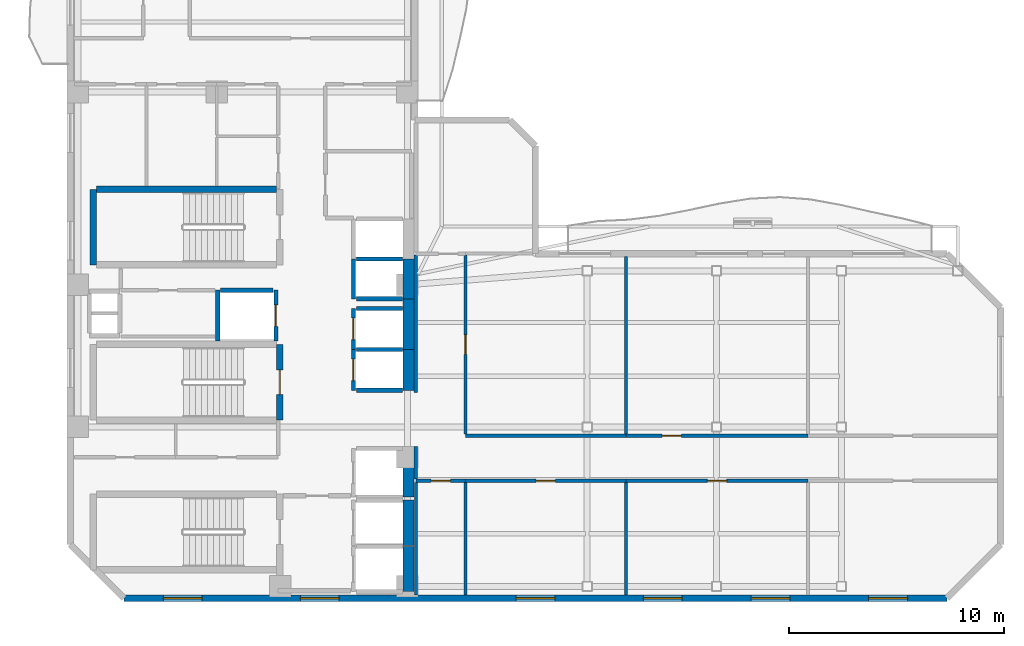
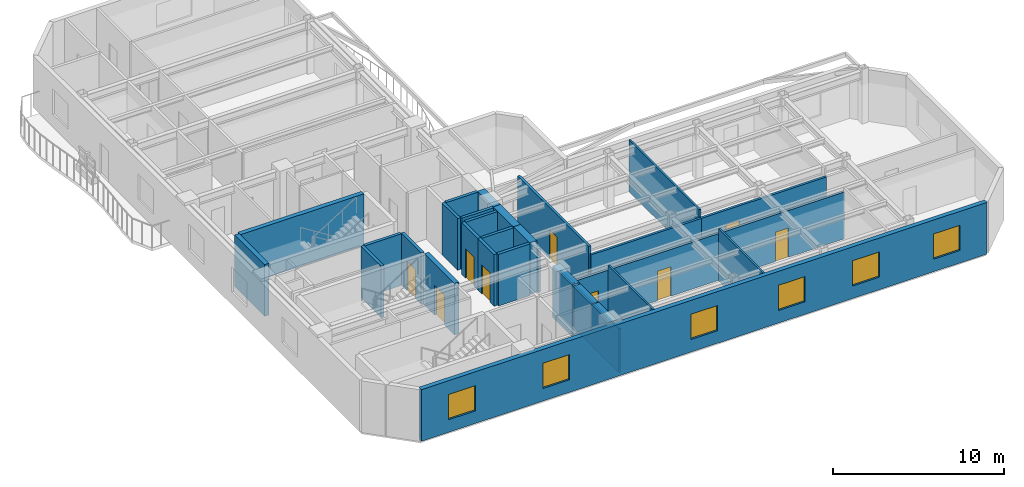
# One storey, part 3 of 9: 33 walls, 9 doors, 6 windows, 15 openings.
"""IFC4 building model written with IfcOpenShell, lengths in metres."""

from ifc_helpers import new_model, si_unit, direction, frame, frame_2d, origin, place, context, subcontext, project, spatial, rectangle, extrude, material, layer, layer_set, type_object, element, fill, save


model = new_model("IFC4")

# Units and contexts
model_context = context("Model", 3, precision=1e-05, world=origin(), true_north=direction((0.0, 1.0)))
body_context = subcontext(model_context, "Body", "Model", "MODEL_VIEW")
ifc_project = project(units=[si_unit("LENGTHUNIT", "METRE"), si_unit("AREAUNIT", "SQUARE_METRE"), si_unit("VOLUMEUNIT", "CUBIC_METRE"), si_unit("PLANEANGLEUNIT", "RADIAN"), si_unit("MASSUNIT", "GRAM", prefix="KILO")], contexts=[model_context])

# Site, building, storey
site_placement = place(None, origin())
site = spatial("IfcSite", under=ifc_project, at=site_placement, CompositionType="ELEMENT")
building_placement = place(site_placement, origin())
building = spatial("IfcBuilding", under=site, at=building_placement, Name="Mawjaban Terraces University", CompositionType="ELEMENT")
storey_placement = place(building_placement, frame((0.0, 0.0, 222.60009765625)))
storey = spatial("IfcBuildingStorey", under=building, at=storey_placement, Name="L54", CompositionType="ELEMENT", Elevation=222.60009765625)

# Walls
ifc_material_1 = material(Name="Concrete C60/75", Category="concrete")
ifc_layer_1 = layer(ifc_material_1, 0.5)
ifc_layer_set_1 = layer_set([ifc_layer_1], Name="Concrete C60/75")
wall_type_1 = type_object("IfcWallType", Name="CoreShearWall_500", PredefinedType="SHEAR", material=ifc_layer_set_1)
wall_1_placement = place(storey_placement, frame((37.699951171875, 0.300048828125, 0.0), z_axis=(0.0, 0.0, 1.0), x_axis=(0.0, 1.0, 0.0)))
element("IfcWall", 1, at=wall_1_placement, inside=storey, type_object=wall_type_1, Name="L54 Lift FL-1 Hoistway Wall East", PredefinedType="SHEAR", context=body_context, shape_type="SweptSolid", body=[
    extrude(rectangle(XDim=2.099853515625, YDim=0.5, at=frame_2d((1.0498046875, 0.0))), origin(), (0.0, 0.0, 1.0), 3.68994140625),
])
wall_2_placement = place(storey_placement, frame((37.699951171875, 2.449951171875, 0.0), z_axis=(0.0, 0.0, 1.0), x_axis=(0.0, 1.0, 0.0)))
element("IfcWall", 2, at=wall_2_placement, inside=storey, type_object=wall_type_1, Name="L54 Lift FL-2 Hoistway Wall East", PredefinedType="SHEAR", context=body_context, shape_type="SweptSolid", body=[
    extrude(rectangle(XDim=2.10009765625, YDim=0.5, at=frame_2d((1.050048828125, 0.0))), origin(), (0.0, 0.0, 1.0), 3.68994140625),
])
wall_3_placement = place(storey_placement, frame((37.699951171875, 4.699951171875, 0.0), z_axis=(0.0, 0.0, 1.0), x_axis=(0.0, 1.0, 0.0)))
element("IfcWall", 3, at=wall_3_placement, inside=storey, type_object=wall_type_1, Name="L54 Lift SL-1 Hoistway Wall East", PredefinedType="SHEAR", context=body_context, shape_type="SweptSolid", body=[
    extrude(rectangle(XDim=2.25, YDim=0.5, at=frame_2d((1.125, 0.0))), origin(), (0.0, 0.0, 1.0), 3.68994140625),
])
wall_4_placement = place(storey_placement, frame((37.699951171875, 9.64990234375, 0.0), z_axis=(0.0, 0.0, 1.0), x_axis=(0.0, 1.0, 0.0)))
element("IfcWall", 4, at=wall_4_placement, inside=storey, type_object=wall_type_1, Name="L54 Lift PL-H1 Hoistway Wall East", PredefinedType="SHEAR", context=body_context, shape_type="SweptSolid", body=[
    extrude(rectangle(XDim=1.900146484375, YDim=0.5, at=frame_2d((0.9501953125, 0.0))), origin(), (0.0, 0.0, 1.0), 3.68994140625),
])
wall_5_placement = place(storey_placement, frame((37.699951171875, 11.550048828125, 0.0), z_axis=(0.0, 0.0, 1.0), x_axis=(0.0, 1.0, 0.0)))
element("IfcWall", 5, at=wall_5_placement, inside=storey, type_object=wall_type_1, Name="L54 Lift PL-H2 Hoistway Wall East", PredefinedType="SHEAR", context=body_context, shape_type="SweptSolid", body=[
    extrude(rectangle(XDim=2.349853515625, YDim=0.5, at=frame_2d((1.1748046875, 0.0))), origin(), (0.0, 0.0, 1.0), 3.68994140625),
])
wall_6_placement = place(storey_placement, frame((37.699951171875, 13.89990234375, 0.0), z_axis=(0.0, 0.0, 1.0), x_axis=(0.0, 1.0, 0.0)))
element("IfcWall", 6, at=wall_6_placement, inside=storey, type_object=wall_type_1, Name="L54 Lift OL-1 Hoistway Wall East", PredefinedType="SHEAR", context=body_context, shape_type="SweptSolid", body=[
    extrude(rectangle(XDim=1.85009765625, YDim=0.5, at=frame_2d((0.925048828125, 0.0))), origin(), (0.0, 0.0, 1.0), 3.68994140625),
])

# Wall, opening, door
ifc_material_2 = material(Name="Fire-rated gypsum board on steel stud", Category="steel")
ifc_layer_2 = layer(ifc_material_2, 0.159912109375)
ifc_layer_set_2 = layer_set([ifc_layer_2], Name="Fire-rated gypsum board on steel stud")
wall_type_2 = type_object("IfcWallType", Name="CorridorPartition_160", PredefinedType="PARTITIONING", material=ifc_layer_set_2)
wall_7_placement = place(storey_placement, frame((38.050048828125, 5.449951171875, 0.0), z_axis=(0.0, 0.0, 1.0), x_axis=(1.0, 0.0, 0.0)))
wall_7 = element("IfcWall", 7, at=wall_7_placement, inside=storey, type_object=wall_type_2, Name="L54 South Spine Spur Link Partition 22", PredefinedType="PARTITIONING", context=body_context, shape_type="SweptSolid", body=[
    extrude(rectangle(XDim=2.300048828125, YDim=0.159912109375, at=frame_2d((1.14990234375, 0.0))), origin(), (0.0, 0.0, 1.0), 3.343017578125),
])
opening_1_placement = place(wall_7_placement, frame((0.699951171875, 0.0, 0.0)))
opening_1 = element("IfcOpeningElement", 8, at=opening_1_placement, cuts=wall_7, Name="Opening ID-090", PredefinedType="OPENING", context=body_context, shape_type="SweptSolid", body=[
    extrude(rectangle(XDim=0.89990234375, YDim=2.10009765625, at=frame_2d((0.449951171875, 1.050048828125))), frame((0.0, 0.08984375, 0.0), z_axis=(0.0, -1.0, 0.0), x_axis=(1.0, 0.0, 0.0)), (0.0, 0.0, 1.0), 0.179931640625),
])
ifc_material_3 = material(Name="Powder-coated steel frame and solid acoustic timber leaf", Category="steel")
door_type_1 = type_object("IfcDoorType", Name="OfficeDoor_900x2100", OperationType="NOTDEFINED", PredefinedType="DOOR", material=ifc_material_3)
door_1_placement = place(opening_1_placement, origin())
door_1 = element("IfcDoor", 9, at=door_1_placement, inside=storey, type_object=door_type_1, Name="L54 Academic Counseling Room 1 Door", OperationType="SINGLE_SWING_RIGHT", OverallHeight=2.10009765625, OverallWidth=0.89990234375, PredefinedType="DOOR", context=body_context, shape_type="SweptSolid", body=[
    extrude(rectangle(XDim=0.89990234375, YDim=2.10009765625, at=frame_2d((0.449951171875, 1.050048828125))), frame((0.0, 0.02490234375, 0.0), z_axis=(0.0, -1.0, 0.0), x_axis=(1.0, 0.0, 0.0)), (0.0, 0.0, 1.0), 0.050048828125),
])
fill(opening_1, door_1)

wall_8_placement = place(storey_placement, frame((40.35009765625, 5.449951171875, 0.0), z_axis=(0.0, 0.0, 1.0), x_axis=(1.0, 0.0, 0.0)))
wall_8 = element("IfcWall", 10, at=wall_8_placement, inside=storey, type_object=wall_type_2, Name="L54 South Shifted Academic Corridor Partition 23", PredefinedType="PARTITIONING", context=body_context, shape_type="SweptSolid", body=[
    extrude(rectangle(XDim=7.449951171875, YDim=0.159912109375, at=frame_2d((3.72509765625, 0.0))), origin(), (0.0, 0.0, 1.0), 3.343017578125),
])
opening_2_placement = place(wall_8_placement, frame((3.27490234375, 0.0, 0.0)))
opening_2 = element("IfcOpeningElement", 11, at=opening_2_placement, cuts=wall_8, Name="Opening ID-090", PredefinedType="OPENING", context=body_context, shape_type="SweptSolid", body=[
    extrude(rectangle(XDim=0.89990234375, YDim=2.10009765625, at=frame_2d((0.449951171875, 1.050048828125))), frame((0.0, 0.08984375, 0.0), z_axis=(0.0, -1.0, 0.0), x_axis=(1.0, 0.0, 0.0)), (0.0, 0.0, 1.0), 0.179931640625),
])
door_2_placement = place(opening_2_placement, origin())
door_2 = element("IfcDoor", 12, at=door_2_placement, inside=storey, type_object=door_type_1, Name="L54 Academic Counseling Room 2 Door", OperationType="SINGLE_SWING_LEFT", OverallHeight=2.10009765625, OverallWidth=0.89990234375, PredefinedType="DOOR", context=body_context, shape_type="SweptSolid", body=[
    extrude(rectangle(XDim=0.89990234375, YDim=2.10009765625, at=frame_2d((0.449951171875, 1.050048828125))), frame((0.0, 0.02490234375, 0.0), z_axis=(0.0, -1.0, 0.0), x_axis=(1.0, 0.0, 0.0)), (0.0, 0.0, 1.0), 0.050048828125),
])
fill(opening_2, door_2)

wall_9_placement = place(storey_placement, frame((47.800048828125, 5.449951171875, 0.0), z_axis=(0.0, 0.0, 1.0), x_axis=(1.0, 0.0, 0.0)))
wall_9 = element("IfcWall", 13, at=wall_9_placement, inside=storey, type_object=wall_type_2, Name="L54 South Shifted Academic Corridor Partition 26", PredefinedType="PARTITIONING", context=body_context, shape_type="SweptSolid", body=[
    extrude(rectangle(XDim=8.449951171875, YDim=0.159912109375, at=frame_2d((4.22509765625, 0.0))), origin(), (0.0, 0.0, 1.0), 3.343017578125),
])
opening_3_placement = place(wall_9_placement, frame((3.77490234375, 0.0, 0.0)))
opening_3 = element("IfcOpeningElement", 14, at=opening_3_placement, cuts=wall_9, Name="Opening ID-090", PredefinedType="OPENING", context=body_context, shape_type="SweptSolid", body=[
    extrude(rectangle(XDim=0.89990234375, YDim=2.10009765625, at=frame_2d((0.449951171875, 1.050048828125))), frame((0.0, 0.08984375, 0.0), z_axis=(0.0, -1.0, 0.0), x_axis=(1.0, 0.0, 0.0)), (0.0, 0.0, 1.0), 0.179931640625),
])
door_3_placement = place(opening_3_placement, origin())
door_3 = element("IfcDoor", 15, at=door_3_placement, inside=storey, type_object=door_type_1, Name="L54 Academic Counseling Room 4 Door", OperationType="SINGLE_SWING_LEFT", OverallHeight=2.10009765625, OverallWidth=0.89990234375, PredefinedType="DOOR", context=body_context, shape_type="SweptSolid", body=[
    extrude(rectangle(XDim=0.89990234375, YDim=2.10009765625, at=frame_2d((0.449951171875, 1.050048828125))), frame((0.0, 0.02490234375, 0.0), z_axis=(0.0, -1.0, 0.0), x_axis=(1.0, 0.0, 0.0)), (0.0, 0.0, 1.0), 0.050048828125),
])
fill(opening_3, door_3)

# Wall
wall_10_placement = place(storey_placement, frame((47.800048828125, 7.550048828125, 0.0), z_axis=(0.0, 0.0, 1.0), x_axis=(-1.0, 0.0, 0.0)))
element("IfcWall", 16, at=wall_10_placement, inside=storey, type_object=wall_type_2, Name="L54 South Shifted Academic Corridor Partition 27", PredefinedType="PARTITIONING", context=body_context, shape_type="SweptSolid", body=[
    extrude(rectangle(XDim=7.449951171875, YDim=0.159912109375, at=frame_2d((3.72509765625, 0.0))), origin(), (0.0, 0.0, 1.0), 3.138916015625),
])

# Wall, opening, door
wall_11_placement = place(storey_placement, frame((56.25, 7.550048828125, 0.0), z_axis=(0.0, 0.0, 1.0), x_axis=(-1.0, 0.0, 0.0)))
wall_11 = element("IfcWall", 17, at=wall_11_placement, inside=storey, type_object=wall_type_2, Name="L54 South Shifted Academic Corridor Partition 29", PredefinedType="PARTITIONING", context=body_context, shape_type="SweptSolid", body=[
    extrude(rectangle(XDim=8.449951171875, YDim=0.159912109375, at=frame_2d((4.22509765625, 0.0))), origin(), (0.0, 0.0, 1.0), 3.138916015625),
])
opening_4_placement = place(wall_11_placement, frame((5.875, 0.0, 0.0)))
opening_4 = element("IfcOpeningElement", 18, at=opening_4_placement, cuts=wall_11, Name="Opening ID-090", PredefinedType="OPENING", context=body_context, shape_type="SweptSolid", body=[
    extrude(rectangle(XDim=0.89990234375, YDim=2.10009765625, at=frame_2d((0.449951171875, 1.050048828125))), frame((0.0, 0.08984375, 0.0), z_axis=(0.0, -1.0, 0.0), x_axis=(1.0, 0.0, 0.0)), (0.0, 0.0, 1.0), 0.179931640625),
])
door_4_placement = place(opening_4_placement, origin())
door_4 = element("IfcDoor", 19, at=door_4_placement, inside=storey, type_object=door_type_1, Name="L54 Faculty Office 5 Door", OperationType="SINGLE_SWING_RIGHT", OverallHeight=2.10009765625, OverallWidth=0.89990234375, PredefinedType="DOOR", context=body_context, shape_type="SweptSolid", body=[
    extrude(rectangle(XDim=0.89990234375, YDim=2.10009765625, at=frame_2d((0.449951171875, 1.050048828125))), frame((0.0, 0.02490234375, 0.0), z_axis=(0.0, -1.0, 0.0), x_axis=(1.0, 0.0, 0.0)), (0.0, 0.0, 1.0), 0.050048828125),
])
fill(opening_4, door_4)

# Walls
wall_12_placement = place(storey_placement, frame((38.050048828125, 7.050048828125, 0.0), z_axis=(0.0, 0.0, 1.0), x_axis=(0.0, -1.0, 0.0)))
element("IfcWall", 20, at=wall_12_placement, inside=storey, type_object=wall_type_2, Name="L54 South Spine Spur Link Partition 51", PredefinedType="PARTITIONING", context=body_context, shape_type="SweptSolid", body=[
    extrude(rectangle(XDim=1.525146484375, YDim=0.159912109375, at=frame_2d((0.7626953125, 0.0))), origin(), (0.0, 0.0, 1.0), 3.138916015625),
])
wall_13_placement = place(storey_placement, frame((38.050048828125, 15.925048828125, 0.0), z_axis=(0.0, 0.0, 1.0), x_axis=(0.0, -1.0, 0.0)))
element("IfcWall", 21, at=wall_13_placement, inside=storey, type_object=wall_type_2, Name="L54 South Spine Spur Link Partition 52", PredefinedType="PARTITIONING", context=body_context, shape_type="SweptSolid", body=[
    extrude(rectangle(XDim=6.375, YDim=0.159912109375, at=frame_2d((3.1875, 0.0))), origin(), (0.0, 0.0, 1.0), 3.138916015625),
])

# Wall, opening, door
wall_14_placement = place(storey_placement, frame((40.35009765625, 7.625, 0.0), z_axis=(0.0, 0.0, 1.0), x_axis=(0.0, 1.0, 0.0)))
wall_14 = element("IfcWall", 22, at=wall_14_placement, inside=storey, type_object=wall_type_2, Name="L54 South Spine Spur Link Partition 55", PredefinedType="PARTITIONING", context=body_context, shape_type="SweptSolid", body=[
    extrude(rectangle(XDim=8.300048828125, YDim=0.159912109375, at=frame_2d((4.14990234375, 0.0))), origin(), (0.0, 0.0, 1.0), 3.68994140625),
])
opening_5_placement = place(wall_14_placement, frame((3.699951171875, 0.0, 0.0)))
opening_5 = element("IfcOpeningElement", 23, at=opening_5_placement, cuts=wall_14, Name="Opening ID-090", PredefinedType="OPENING", context=body_context, shape_type="SweptSolid", body=[
    extrude(rectangle(XDim=0.89990234375, YDim=2.10009765625, at=frame_2d((0.449951171875, 1.050048828125))), frame((0.0, 0.08984375, 0.0), z_axis=(0.0, -1.0, 0.0), x_axis=(1.0, 0.0, 0.0)), (0.0, 0.0, 1.0), 0.179931640625),
])
door_5_placement = place(opening_5_placement, origin())
door_5 = element("IfcDoor", 24, at=door_5_placement, inside=storey, type_object=door_type_1, Name="L54 Academic Counseling Room 3 Door", OperationType="SINGLE_SWING_RIGHT", OverallHeight=2.10009765625, OverallWidth=0.89990234375, PredefinedType="DOOR", context=body_context, shape_type="SweptSolid", body=[
    extrude(rectangle(XDim=0.89990234375, YDim=2.10009765625, at=frame_2d((0.449951171875, 1.050048828125))), frame((0.0, 0.02490234375, 0.0), z_axis=(0.0, -1.0, 0.0), x_axis=(1.0, 0.0, 0.0)), (0.0, 0.0, 1.0), 0.050048828125),
])
fill(opening_5, door_5)

# Wall, openings, windows
ifc_material_4 = material(Name="Insulated terracotta rainscreen on concrete backup C40/50", Category="masonry")
ifc_layer_3 = layer(ifc_material_4, 0.300048828125)
ifc_layer_set_3 = layer_set([ifc_layer_3], Name="Insulated terracotta rainscreen on concrete backup C40/50")
wall_type_3 = type_object("IfcWallType", Name="ExtTerracottaWall_300", PredefinedType="SOLIDWALL", material=ifc_layer_set_3)
wall_15_placement = place(storey_placement, frame((24.5, 0.0, 0.0), z_axis=(0.0, 0.0, 1.0), x_axis=(1.0, 0.0, 0.0)))
wall_15 = element("IfcWall", 25, at=wall_15_placement, inside=storey, type_object=wall_type_3, Name="L54 Exterior Terracotta Wall 1", PredefinedType="SOLIDWALL", context=body_context, shape_type="SweptSolid", body=[
    extrude(rectangle(XDim=38.199951171875, YDim=0.300048828125, at=frame_2d((19.10009765625, 0.0))), origin(), (0.0, 0.0, 1.0), 3.68994140625),
])
opening_6_placement = place(wall_15_placement, frame((1.8291015625, 0.0, 0.89990234375)))
opening_6 = element("IfcOpeningElement", 26, at=opening_6_placement, cuts=wall_15, Name="Opening W-07", PredefinedType="OPENING", context=body_context, shape_type="SweptSolid", body=[
    extrude(rectangle(XDim=1.800048828125, YDim=1.800048828125, at=frame_2d((0.89990234375, 0.89990234375))), frame((0.0, 0.159912109375, 0.0), z_axis=(0.0, -1.0, 0.0), x_axis=(1.0, 0.0, 0.0)), (0.0, 0.0, 1.0), 0.320068359375),
])
opening_7_placement = place(wall_15_placement, frame((8.18603515625, 0.0, 0.89990234375)))
opening_7 = element("IfcOpeningElement", 27, at=opening_7_placement, cuts=wall_15, Name="Opening W-07", PredefinedType="OPENING", context=body_context, shape_type="SweptSolid", body=[
    extrude(rectangle(XDim=1.800048828125, YDim=1.800048828125, at=frame_2d((0.89990234375, 0.89990234375))), frame((0.0, 0.159912109375, 0.0), z_axis=(0.0, -1.0, 0.0), x_axis=(1.0, 0.0, 0.0)), (0.0, 0.0, 1.0), 0.320068359375),
])
opening_8_placement = place(wall_15_placement, frame((18.199951171875, 0.0, 0.89990234375)))
opening_8 = element("IfcOpeningElement", 28, at=opening_8_placement, cuts=wall_15, Name="Opening W-07", PredefinedType="OPENING", context=body_context, shape_type="SweptSolid", body=[
    extrude(rectangle(XDim=1.800048828125, YDim=1.800048828125, at=frame_2d((0.89990234375, 0.89990234375))), frame((0.0, 0.159912109375, 0.0), z_axis=(0.0, -1.0, 0.0), x_axis=(1.0, 0.0, 0.0)), (0.0, 0.0, 1.0), 0.320068359375),
])
opening_9_placement = place(wall_15_placement, frame((24.10693359375, 0.0, 0.89990234375)))
opening_9 = element("IfcOpeningElement", 29, at=opening_9_placement, cuts=wall_15, Name="Opening W-07", PredefinedType="OPENING", context=body_context, shape_type="SweptSolid", body=[
    extrude(rectangle(XDim=1.800048828125, YDim=1.800048828125, at=frame_2d((0.89990234375, 0.89990234375))), frame((0.0, 0.159912109375, 0.0), z_axis=(0.0, -1.0, 0.0), x_axis=(1.0, 0.0, 0.0)), (0.0, 0.0, 1.0), 0.320068359375),
])
opening_10_placement = place(wall_15_placement, frame((29.114013671875, 0.0, 0.89990234375)))
opening_10 = element("IfcOpeningElement", 30, at=opening_10_placement, cuts=wall_15, Name="Opening W-07", PredefinedType="OPENING", context=body_context, shape_type="SweptSolid", body=[
    extrude(rectangle(XDim=1.800048828125, YDim=1.800048828125, at=frame_2d((0.89990234375, 0.89990234375))), frame((0.0, 0.159912109375, 0.0), z_axis=(0.0, -1.0, 0.0), x_axis=(1.0, 0.0, 0.0)), (0.0, 0.0, 1.0), 0.320068359375),
])
opening_11_placement = place(wall_15_placement, frame((34.571044921875, 0.0, 0.89990234375)))
opening_11 = element("IfcOpeningElement", 31, at=opening_11_placement, cuts=wall_15, Name="Opening W-07", PredefinedType="OPENING", context=body_context, shape_type="SweptSolid", body=[
    extrude(rectangle(XDim=1.800048828125, YDim=1.800048828125, at=frame_2d((0.89990234375, 0.89990234375))), frame((0.0, 0.159912109375, 0.0), z_axis=(0.0, -1.0, 0.0), x_axis=(1.0, 0.0, 0.0)), (0.0, 0.0, 1.0), 0.320068359375),
])
ifc_material_5 = material(Name="Low-E solar-control double glazing in thermally broken aluminium frame", Category="aluminium")
window_type = type_object("IfcWindowType", Name="Win_1800x1800", PartitioningType="SINGLE_PANEL", PredefinedType="WINDOW", material=ifc_material_5)
window_1_placement = place(opening_6_placement, origin())
window_1 = element("IfcWindow", 32, at=window_1_placement, inside=storey, type_object=window_type, Name="L54 Facade Window 1.1", OverallHeight=1.800048828125, OverallWidth=1.800048828125, PartitioningType="SINGLE_PANEL", PredefinedType="WINDOW", context=body_context, shape_type="SweptSolid", body=[
    extrude(rectangle(XDim=1.800048828125, YDim=1.800048828125, at=frame_2d((0.89990234375, 0.89990234375))), frame((0.0, 0.030029296875, 0.0), z_axis=(0.0, -1.0, 0.0), x_axis=(1.0, 0.0, 0.0)), (0.0, 0.0, 1.0), 0.06005859375),
])
fill(opening_6, window_1)
window_2_placement = place(opening_7_placement, origin())
window_2 = element("IfcWindow", 33, at=window_2_placement, inside=storey, type_object=window_type, Name="L54 Facade Window 1.2", OverallHeight=1.800048828125, OverallWidth=1.800048828125, PartitioningType="SINGLE_PANEL", PredefinedType="WINDOW", context=body_context, shape_type="SweptSolid", body=[
    extrude(rectangle(XDim=1.800048828125, YDim=1.800048828125, at=frame_2d((0.89990234375, 0.89990234375))), frame((0.0, 0.030029296875, 0.0), z_axis=(0.0, -1.0, 0.0), x_axis=(1.0, 0.0, 0.0)), (0.0, 0.0, 1.0), 0.06005859375),
])
fill(opening_7, window_2)
window_3_placement = place(opening_8_placement, origin())
window_3 = element("IfcWindow", 34, at=window_3_placement, inside=storey, type_object=window_type, Name="L54 Facade Window 1.4", OverallHeight=1.800048828125, OverallWidth=1.800048828125, PartitioningType="SINGLE_PANEL", PredefinedType="WINDOW", context=body_context, shape_type="SweptSolid", body=[
    extrude(rectangle(XDim=1.800048828125, YDim=1.800048828125, at=frame_2d((0.89990234375, 0.89990234375))), frame((0.0, 0.030029296875, 0.0), z_axis=(0.0, -1.0, 0.0), x_axis=(1.0, 0.0, 0.0)), (0.0, 0.0, 1.0), 0.06005859375),
])
fill(opening_8, window_3)
window_4_placement = place(opening_9_placement, origin())
window_4 = element("IfcWindow", 35, at=window_4_placement, inside=storey, type_object=window_type, Name="L54 Facade Window 1.5", OverallHeight=1.800048828125, OverallWidth=1.800048828125, PartitioningType="SINGLE_PANEL", PredefinedType="WINDOW", context=body_context, shape_type="SweptSolid", body=[
    extrude(rectangle(XDim=1.800048828125, YDim=1.800048828125, at=frame_2d((0.89990234375, 0.89990234375))), frame((0.0, 0.030029296875, 0.0), z_axis=(0.0, -1.0, 0.0), x_axis=(1.0, 0.0, 0.0)), (0.0, 0.0, 1.0), 0.06005859375),
])
fill(opening_9, window_4)
window_5_placement = place(opening_10_placement, origin())
window_5 = element("IfcWindow", 36, at=window_5_placement, inside=storey, type_object=window_type, Name="L54 Facade Window 1.6", OverallHeight=1.800048828125, OverallWidth=1.800048828125, PartitioningType="SINGLE_PANEL", PredefinedType="WINDOW", context=body_context, shape_type="SweptSolid", body=[
    extrude(rectangle(XDim=1.800048828125, YDim=1.800048828125, at=frame_2d((0.89990234375, 0.89990234375))), frame((0.0, 0.030029296875, 0.0), z_axis=(0.0, -1.0, 0.0), x_axis=(1.0, 0.0, 0.0)), (0.0, 0.0, 1.0), 0.06005859375),
])
fill(opening_10, window_5)
window_6_placement = place(opening_11_placement, origin())
window_6 = element("IfcWindow", 37, at=window_6_placement, inside=storey, type_object=window_type, Name="L54 Facade Window 1.7", OverallHeight=1.800048828125, OverallWidth=1.800048828125, PartitioningType="SINGLE_PANEL", PredefinedType="WINDOW", context=body_context, shape_type="SweptSolid", body=[
    extrude(rectangle(XDim=1.800048828125, YDim=1.800048828125, at=frame_2d((0.89990234375, 0.89990234375))), frame((0.0, 0.030029296875, 0.0), z_axis=(0.0, -1.0, 0.0), x_axis=(1.0, 0.0, 0.0)), (0.0, 0.0, 1.0), 0.06005859375),
])
fill(opening_11, window_6)

# Wall, opening, door
ifc_material_6 = material(Name="Concrete C40/50", Category="concrete")
ifc_layer_4 = layer(ifc_material_6, 0.199951171875)
ifc_layer_set_4 = layer_set([ifc_layer_4], Name="Concrete C40/50")
wall_type_4 = type_object("IfcWallType", Name="FireLobbyWall_200", PredefinedType="SOLIDWALL", material=ifc_layer_set_4)
wall_16_placement = place(storey_placement, frame((35.14990234375, 11.550048828125, 0.0), z_axis=(0.0, 0.0, 1.0), x_axis=(0.0, -1.0, 0.0)))
wall_16 = element("IfcWall", 38, at=wall_16_placement, inside=storey, type_object=wall_type_4, Name="L54 Lift PL-H1 Hoistway Wall West", PredefinedType="SOLIDWALL", context=body_context, shape_type="SweptSolid", body=[
    extrude(rectangle(XDim=1.900146484375, YDim=0.199951171875, at=frame_2d((0.9501953125, 0.0))), origin(), (0.0, 0.0, 1.0), 3.68994140625),
])
opening_12_placement = place(wall_16_placement, frame((0.449951171875, 0.0, 0.0)))
opening_12 = element("IfcOpeningElement", 39, at=opening_12_placement, cuts=wall_16, Name="Opening LD-PL-H1", PredefinedType="OPENING", context=body_context, shape_type="SweptSolid", body=[
    extrude(rectangle(XDim=1.0, YDim=2.10009765625, at=frame_2d((0.5, 1.050048828125))), frame((0.0, 0.10986328125, 0.0), z_axis=(0.0, -1.0, 0.0), x_axis=(1.0, 0.0, 0.0)), (0.0, 0.0, 1.0), 0.219970703125),
])
ifc_material_7 = material(Name="Powder-coated steel frame and fire-rated steel-faced leaf", Category="steel")
door_type_2 = type_object("IfcDoorType", Name="LiftLandingSliding_1000x2100", OperationType="NOTDEFINED", PredefinedType="DOOR", material=ifc_material_7)
door_6_placement = place(opening_12_placement, origin())
door_6 = element("IfcDoor", 40, at=door_6_placement, inside=storey, type_object=door_type_2, Name="L54 Lift PL-H1 Sliding Landing Door", OperationType="DOUBLE_DOOR_SLIDING", OverallHeight=2.10009765625, OverallWidth=1.0, PredefinedType="DOOR", context=body_context, shape_type="SweptSolid", body=[
    extrude(rectangle(XDim=1.0, YDim=2.10009765625, at=frame_2d((0.5, 1.050048828125))), frame((0.0, 0.02490234375, 0.0), z_axis=(0.0, -1.0, 0.0), x_axis=(1.0, 0.0, 0.0)), (0.0, 0.0, 1.0), 0.050048828125),
])
fill(opening_12, door_6)

# Walls
for number, where, z_axis, x_axis, name in (
    (41, (35.280029296875, 9.64990234375, 0.0), (0.0, 0.0, 1.0), (1.0, 0.0, 0.0), "L54 Lift PL-H1 Hoistway Wall South"),
    (42, (37.419921875, 11.550048828125, 0.0), (0.0, 0.0, 1.0), (-1.0, 0.0, 0.0), "L54 Lift PL-H1 Hoistway Wall North"),
):
    element("IfcWall", number, at=place(storey_placement, frame(where, z_axis=z_axis, x_axis=x_axis)), inside=storey, type_object=wall_type_4, Name=name, PredefinedType="SOLIDWALL", context=body_context, shape_type="SweptSolid", body=[
        extrude(rectangle(XDim=2.139892578125, YDim=0.199951171875, at=frame_2d((1.06982421875, 0.0))), origin(), (0.0, 0.0, 1.0), 3.68994140625),
    ])

# Wall, opening, door
wall_17_placement = place(storey_placement, frame((35.14990234375, 13.449951171875, 0.0), z_axis=(0.0, 0.0, 1.0), x_axis=(0.0, -1.0, 0.0)))
wall_17 = element("IfcWall", 43, at=wall_17_placement, inside=storey, type_object=wall_type_4, Name="L54 Lift PL-H2 Hoistway Wall West", PredefinedType="SOLIDWALL", context=body_context, shape_type="SweptSolid", body=[
    extrude(rectangle(XDim=1.89990234375, YDim=0.199951171875, at=frame_2d((0.949951171875, 0.0))), origin(), (0.0, 0.0, 1.0), 3.68994140625),
])
opening_13_placement = place(wall_17_placement, frame((0.449951171875, 0.0, 0.0)))
opening_13 = element("IfcOpeningElement", 44, at=opening_13_placement, cuts=wall_17, Name="Opening LD-PL-H2", PredefinedType="OPENING", context=body_context, shape_type="SweptSolid", body=[
    extrude(rectangle(XDim=1.0, YDim=2.10009765625, at=frame_2d((0.5, 1.050048828125))), frame((0.0, 0.10986328125, 0.0), z_axis=(0.0, -1.0, 0.0), x_axis=(1.0, 0.0, 0.0)), (0.0, 0.0, 1.0), 0.219970703125),
])
door_7_placement = place(opening_13_placement, origin())
door_7 = element("IfcDoor", 45, at=door_7_placement, inside=storey, type_object=door_type_2, Name="L54 Lift PL-H2 Sliding Landing Door", OperationType="DOUBLE_DOOR_SLIDING", OverallHeight=2.10009765625, OverallWidth=1.0, PredefinedType="DOOR", context=body_context, shape_type="SweptSolid", body=[
    extrude(rectangle(XDim=1.0, YDim=2.10009765625, at=frame_2d((0.5, 1.050048828125))), frame((0.0, 0.02490234375, 0.0), z_axis=(0.0, -1.0, 0.0), x_axis=(1.0, 0.0, 0.0)), (0.0, 0.0, 1.0), 0.050048828125),
])
fill(opening_13, door_7)

# Walls
wall_18_placement = place(storey_placement, frame((37.419921875, 13.449951171875, 0.0), z_axis=(0.0, 0.0, 1.0), x_axis=(-1.0, 0.0, 0.0)))
element("IfcWall", 46, at=wall_18_placement, inside=storey, type_object=wall_type_4, Name="L54 Lift PL-H2 Hoistway Wall North", PredefinedType="SOLIDWALL", context=body_context, shape_type="SweptSolid", body=[
    extrude(rectangle(XDim=2.139892578125, YDim=0.199951171875, at=frame_2d((1.06982421875, 0.0))), origin(), (0.0, 0.0, 1.0), 3.68994140625),
])
wall_19_placement = place(storey_placement, frame((28.85009765625, 14.300048828125, 0.0), z_axis=(0.0, 0.0, 1.0), x_axis=(0.0, -1.0, 0.0)))
element("IfcWall", 47, at=wall_19_placement, inside=storey, type_object=wall_type_4, Name="L54 Lift PL-H3 Hoistway Wall West", PredefinedType="SOLIDWALL", context=body_context, shape_type="SweptSolid", body=[
    extrude(rectangle(XDim=2.3701171875, YDim=0.199951171875, at=frame_2d((1.18505859375, 0.0))), origin(), (0.0, 0.0, 1.0), 3.68994140625),
])

# Wall, opening, door
wall_20_placement = place(storey_placement, frame((31.550048828125, 11.929931640625, 0.0), z_axis=(0.0, 0.0, 1.0), x_axis=(0.0, 1.0, 0.0)))
wall_20 = element("IfcWall", 48, at=wall_20_placement, inside=storey, type_object=wall_type_4, Name="L54 Lift PL-H3 Hoistway Wall East", PredefinedType="SOLIDWALL", context=body_context, shape_type="SweptSolid", body=[
    extrude(rectangle(XDim=2.3701171875, YDim=0.199951171875, at=frame_2d((1.18505859375, 0.0))), origin(), (0.0, 0.0, 1.0), 3.68994140625),
])
opening_14_placement = place(wall_20_placement, frame((0.68505859375, 0.0, 0.0)))
opening_14 = element("IfcOpeningElement", 49, at=opening_14_placement, cuts=wall_20, Name="Opening LD-PL-H3", PredefinedType="OPENING", context=body_context, shape_type="SweptSolid", body=[
    extrude(rectangle(XDim=1.0, YDim=2.10009765625, at=frame_2d((0.5, 1.050048828125))), frame((0.0, 0.10986328125, 0.0), z_axis=(0.0, -1.0, 0.0), x_axis=(1.0, 0.0, 0.0)), (0.0, 0.0, 1.0), 0.219970703125),
])
door_8_placement = place(opening_14_placement, origin())
door_8 = element("IfcDoor", 50, at=door_8_placement, inside=storey, type_object=door_type_2, Name="L54 Lift PL-H3 Sliding Landing Door", OperationType="DOUBLE_DOOR_SLIDING", OverallHeight=2.10009765625, OverallWidth=1.0, PredefinedType="DOOR", context=body_context, shape_type="SweptSolid", body=[
    extrude(rectangle(XDim=1.0, YDim=2.10009765625, at=frame_2d((0.5, 1.050048828125))), frame((0.0, 0.02490234375, 0.0), z_axis=(0.0, -1.0, 0.0), x_axis=(1.0, 0.0, 0.0)), (0.0, 0.0, 1.0), 0.050048828125),
])
fill(opening_14, door_8)

# Walls
wall_21_placement = place(storey_placement, frame((31.419921875, 14.300048828125, 0.0), z_axis=(0.0, 0.0, 1.0), x_axis=(-1.0, 0.0, 0.0)))
element("IfcWall", 51, at=wall_21_placement, inside=storey, type_object=wall_type_4, Name="L54 Lift PL-H3 Hoistway Wall North", PredefinedType="SOLIDWALL", context=body_context, shape_type="SweptSolid", body=[
    extrude(rectangle(XDim=2.43994140625, YDim=0.199951171875, at=frame_2d((1.219970703125, 0.0))), origin(), (0.0, 0.0, 1.0), 3.68994140625),
])
wall_22_placement = place(storey_placement, frame((35.14990234375, 15.75, 0.0), z_axis=(0.0, 0.0, 1.0), x_axis=(0.0, -1.0, 0.0)))
element("IfcWall", 52, at=wall_22_placement, inside=storey, type_object=wall_type_4, Name="L54 Lift OL-1 Hoistway Wall West", PredefinedType="SOLIDWALL", context=body_context, shape_type="SweptSolid", body=[
    extrude(rectangle(XDim=1.85009765625, YDim=0.199951171875, at=frame_2d((0.925048828125, 0.0))), origin(), (0.0, 0.0, 1.0), 3.68994140625),
])
for number, where, z_axis, x_axis, name in (
    (53, (35.280029296875, 13.89990234375, 0.0), (0.0, 0.0, 1.0), (1.0, 0.0, 0.0), "L54 Lift OL-1 Hoistway Wall South"),
    (54, (37.419921875, 15.75, 0.0), (0.0, 0.0, 1.0), (-1.0, 0.0, 0.0), "L54 Lift OL-1 Hoistway Wall North"),
):
    element("IfcWall", number, at=place(storey_placement, frame(where, z_axis=z_axis, x_axis=x_axis)), inside=storey, type_object=wall_type_4, Name=name, PredefinedType="SOLIDWALL", context=body_context, shape_type="SweptSolid", body=[
        extrude(rectangle(XDim=2.139892578125, YDim=0.199951171875, at=frame_2d((1.06982421875, 0.0))), origin(), (0.0, 0.0, 1.0), 3.68994140625),
    ])
ifc_material_8 = material(Name="Gypsum plasterboard on steel stud", Category="steel")
ifc_layer_5 = layer(ifc_material_8, 0.125)
ifc_layer_set_5 = layer_set([ifc_layer_5], Name="Gypsum plasterboard on steel stud")
wall_type_5 = type_object("IfcWallType", Name="OfficePartition_125", PredefinedType="PARTITIONING", material=ifc_layer_set_5)
wall_23_placement = place(storey_placement, frame((38.050048828125, 5.375, 0.0), z_axis=(0.0, 0.0, 1.0), x_axis=(0.0, -1.0, 0.0)))
element("IfcWall", 55, at=wall_23_placement, inside=storey, type_object=wall_type_5, Name="L54 Academic Counseling Room 1 Partition 50", PredefinedType="PARTITIONING", context=body_context, shape_type="SweptSolid", body=[
    extrude(rectangle(XDim=5.22998046875, YDim=0.125, at=frame_2d((2.614990234375, 0.0))), origin(), (0.0, 0.0, 1.0), 3.138916015625),
])
for number, where, z_axis, x_axis, name in (
    (56, (40.35009765625, 0.14501953125, 0.0), (0.0, 0.0, 1.0), (0.0, 1.0, 0.0), "L54 Academic Counseling Room 1 Partition 54"),
    (57, (47.800048828125, 0.14501953125, 0.0), (0.0, 0.0, 1.0), (0.0, 1.0, 0.0), "L54 Academic Counseling Room 2 Partition 56"),
):
    element("IfcWall", number, at=place(storey_placement, frame(where, z_axis=z_axis, x_axis=x_axis)), inside=storey, type_object=wall_type_5, Name=name, PredefinedType="PARTITIONING", context=body_context, shape_type="SweptSolid", body=[
        extrude(rectangle(XDim=5.22998046875, YDim=0.125, at=frame_2d((2.614990234375, 0.0))), origin(), (0.0, 0.0, 1.0), 3.68994140625),
    ])
wall_24_placement = place(storey_placement, frame((47.800048828125, 7.625, 0.0), z_axis=(0.0, 0.0, 1.0), x_axis=(0.0, 1.0, 0.0)))
element("IfcWall", 58, at=wall_24_placement, inside=storey, type_object=wall_type_5, Name="L54 Academic Counseling Room 3 Partition 57", PredefinedType="PARTITIONING", context=body_context, shape_type="SweptSolid", body=[
    extrude(rectangle(XDim=8.22998046875, YDim=0.125, at=frame_2d((4.114990234375, 0.0))), origin(), (0.0, 0.0, 1.0), 3.68994140625),
])
ifc_layer_6 = layer(ifc_material_1, 0.300048828125)
ifc_layer_set_6 = layer_set([ifc_layer_6], Name="Concrete C60/75")
wall_type_6 = type_object("IfcWallType", Name="StairShaftWall_300", PredefinedType="SHEAR", material=ifc_layer_set_6)
wall_25_placement = place(storey_placement, frame((31.580078125, 18.97998046875, 0.0), z_axis=(0.0, 0.0, 1.0), x_axis=(-1.0, 0.0, 0.0)))
element("IfcWall", 59, at=wall_25_placement, inside=storey, type_object=wall_type_6, Name="L54 ST-2 Stair Shaft Wall 1", PredefinedType="SHEAR", context=body_context, shape_type="SweptSolid", body=[
    extrude(rectangle(XDim=8.360107421875, YDim=0.300048828125, at=frame_2d((4.18017578125, 0.0))), origin(), (0.0, 0.0, 1.0), 3.68994140625),
])
wall_26_placement = place(storey_placement, frame((23.070068359375, 18.97998046875, 0.0), z_axis=(0.0, 0.0, 1.0), x_axis=(0.0, -1.0, 0.0)))
element("IfcWall", 60, at=wall_26_placement, inside=storey, type_object=wall_type_6, Name="L54 ST-2 Stair Shaft Wall 2", PredefinedType="SHEAR", context=body_context, shape_type="SweptSolid", body=[
    extrude(rectangle(XDim=3.510009765625, YDim=0.300048828125, at=frame_2d((1.7548828125, 0.0))), origin(), (0.0, 0.0, 1.0), 3.68994140625),
])

# Wall, opening, door
wall_27_placement = place(storey_placement, frame((31.72998046875, 8.27001953125, 0.0), z_axis=(0.0, 0.0, 1.0), x_axis=(0.0, 1.0, 0.0)))
wall_27 = element("IfcWall", 61, at=wall_27_placement, inside=storey, type_object=wall_type_6, Name="L54 ST-3 Stair Shaft Wall 4", PredefinedType="SHEAR", context=body_context, shape_type="SweptSolid", body=[
    extrude(rectangle(XDim=3.510009765625, YDim=0.300048828125, at=frame_2d((1.7548828125, 0.0))), origin(), (0.0, 0.0, 1.0), 3.68994140625),
])
opening_15_placement = place(wall_27_placement, frame((1.179931640625, 0.0, 0.0)))
opening_15 = element("IfcOpeningElement", 62, at=opening_15_placement, cuts=wall_27, Name="Opening FD-115", PredefinedType="OPENING", context=body_context, shape_type="SweptSolid", body=[
    extrude(rectangle(XDim=1.14990234375, YDim=2.14990234375, at=frame_2d((0.574951171875, 1.074951171875))), frame((0.0, 0.159912109375, 0.0), z_axis=(0.0, -1.0, 0.0), x_axis=(1.0, 0.0, 0.0)), (0.0, 0.0, 1.0), 0.320068359375),
])
door_type_3 = type_object("IfcDoorType", Name="FireStairDoor_1150x2150", OperationType="NOTDEFINED", PredefinedType="DOOR", material=ifc_material_7)
door_9_placement = place(opening_15_placement, origin())
door_9 = element("IfcDoor", 63, at=door_9_placement, inside=storey, type_object=door_type_3, Name="L54 ST-3 Pressurised Stair Fire Door", OperationType="SINGLE_SWING_LEFT", OverallHeight=2.14990234375, OverallWidth=1.14990234375, PredefinedType="DOOR", context=body_context, shape_type="SweptSolid", body=[
    extrude(rectangle(XDim=1.14990234375, YDim=2.14990234375, at=frame_2d((0.574951171875, 1.074951171875))), frame((0.0, 0.02490234375, 0.0), z_axis=(0.0, -1.0, 0.0), x_axis=(1.0, 0.0, 0.0)), (0.0, 0.0, 1.0), 0.050048828125),
])
fill(opening_15, door_9)

save(model, "model.ifc")
